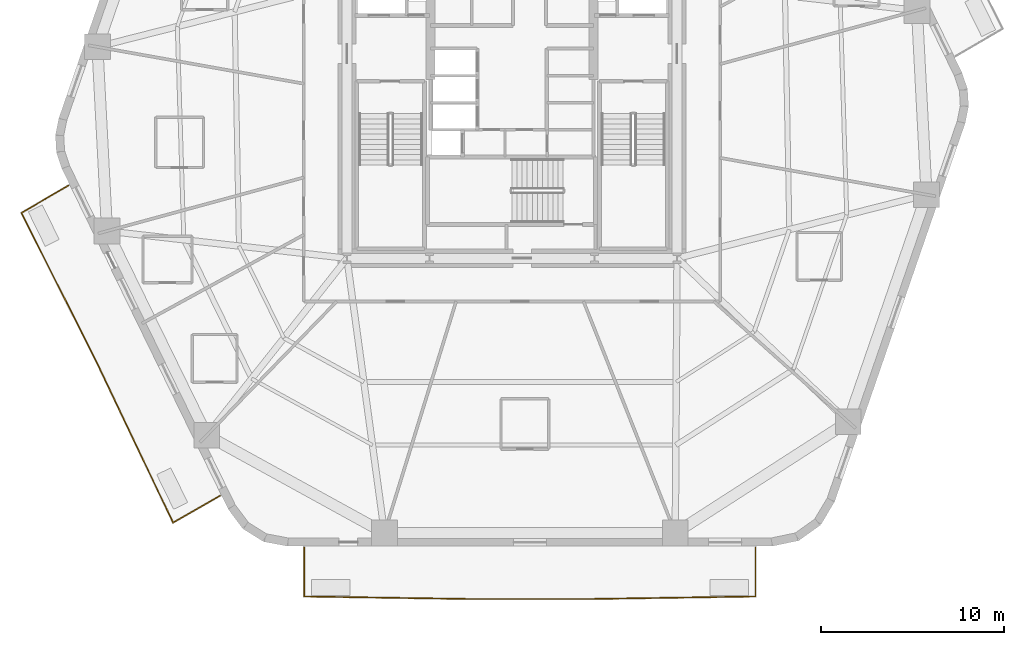
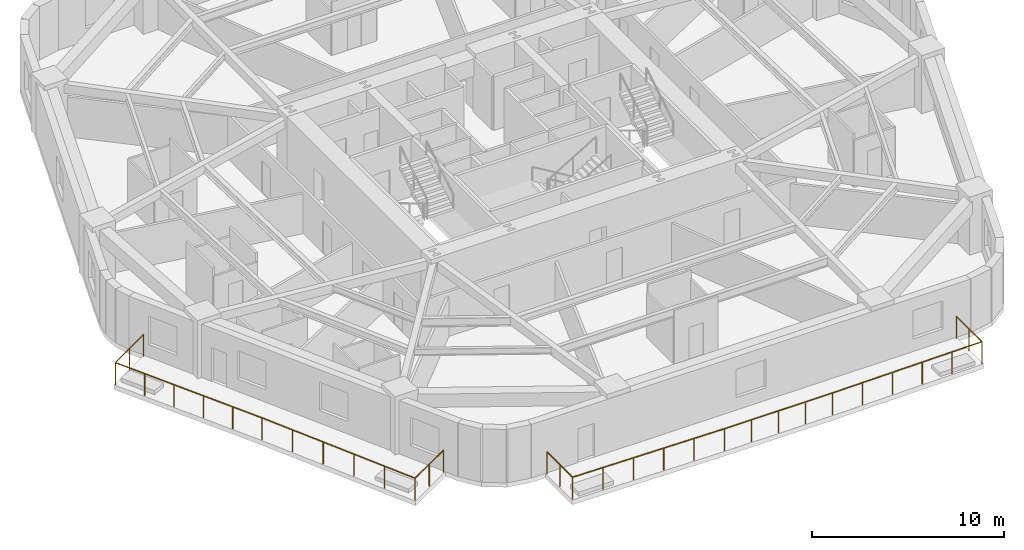
# One storey, part 8 of 10: 2 railings.
"""IFC4 building model written with IfcOpenShell, lengths in metres."""

from ifc_helpers import new_model, si_unit, direction, frame, origin, origin_2d, place, context, subcontext, project, spatial, rectangle, extrude, material, layer, layer_set, type_object, element, save


model = new_model("IFC4")

# Units and contexts
model_context = context("Model", 3, precision=1e-05, world=origin(), true_north=direction((0.0, 1.0)))
body_context = subcontext(model_context, "Body", "Model", "MODEL_VIEW")
ifc_project = project(units=[si_unit("LENGTHUNIT", "METRE"), si_unit("AREAUNIT", "SQUARE_METRE"), si_unit("VOLUMEUNIT", "CUBIC_METRE"), si_unit("PLANEANGLEUNIT", "RADIAN"), si_unit("MASSUNIT", "GRAM", prefix="KILO")], contexts=[model_context])

# Site, building, storey
site_placement = place(None, origin())
site = spatial("IfcSite", under=ifc_project, at=site_placement, CompositionType="ELEMENT")
building_placement = place(site_placement, origin())
building = spatial("IfcBuilding", under=site, at=building_placement, Name="Kilnhurst Terrace Hotel", CompositionType="ELEMENT")
storey_placement = place(building_placement, frame((0.0, 0.0, 63.800048828125)))
storey = spatial("IfcBuildingStorey", under=building, at=storey_placement, Name="L14", CompositionType="ELEMENT", Elevation=63.800048828125)

# Railings
ifc_material = material(Name="Laminated SentryGlas and Stainless Steel AISI 316L Balustrade", Category="steel")
ifc_layer = layer(ifc_material, 0.070068359375, Name="Laminated SentryGlas and Stainless Steel AISI 316L Balustrade")
ifc_layer_set = layer_set([ifc_layer], Name="Laminated SentryGlas and Stainless Steel AISI 316L Balustrade")
railing_type = type_object("IfcRailingType", Name="RLG-BAL-1420", PredefinedType="BALUSTRADE", material=ifc_layer_set)
railing_1_placement = place(storey_placement, frame((-15.923095703125, -20.44873046875, 0.0)))
element("IfcRailing", 1, at=railing_1_placement, inside=storey, type_object=railing_type, Name="L14 Exterior Terrace Guardrail BAL-L2A.1", PredefinedType="BALUSTRADE", context=body_context, shape_type="SweptSolid", body=[
    extrude(rectangle(XDim=0.048095703125, YDim=0.048095703125, at=origin_2d()), frame((0.0, 0.0, 1.39599609375), z_axis=(-0.86763656582, -0.497198943736, 0.0), x_axis=(0.497198943736, -0.86763656582, 0.0)), (0.0, 0.0, 1.0), 2.95068359375),
    extrude(rectangle(XDim=0.048095703125, YDim=0.048095703125, at=origin_2d()), frame((-2.56005859375, -1.467041015625, 1.39599609375), z_axis=(-0.430147205624, 0.902758761516, 0.0), x_axis=(-0.902758761516, -0.430147205624, 0.0)), (0.0, 0.0, 1.0), 9.67041015625),
    extrude(rectangle(XDim=0.048095703125, YDim=0.048095703125, at=origin_2d()), frame((-6.7197265625, 7.262939453125, 1.39599609375), z_axis=(-0.514495755428, 0.857492925713, 0.0), x_axis=(-0.857492925713, -0.514495755428, 0.0)), (0.0, 0.0, 1.0), 0.00146484375),
    extrude(rectangle(XDim=0.048095703125, YDim=0.048095703125, at=origin_2d()), frame((-6.720458984375, 7.26416015625, 1.39599609375), z_axis=(-0.449648824937, 0.89320542667, 0.0), x_axis=(-0.89320542667, -0.449648824937, 0.0)), (0.0, 0.0, 1.0), 9.136962890625),
    extrude(rectangle(XDim=0.048095703125, YDim=0.048095703125, at=origin_2d()), frame((-10.828857421875, 15.42529296875, 1.39599609375), z_axis=(0.863737120301, 0.503942642584, 0.0), x_axis=(-0.503942642584, 0.863737120301, 0.0)), (0.0, 0.0, 1.0), 2.96728515625),
    extrude(rectangle(XDim=0.0419921875, YDim=0.0419921875, at=origin_2d()), origin(), (0.0, 0.0, 1.0), 1.371826171875),
    extrude(rectangle(XDim=0.0419921875, YDim=0.0419921875, at=origin_2d()), frame((-1.280029296875, -0.7333984375, 0.0)), (0.0, 0.0, 1.0), 1.371826171875),
    extrude(rectangle(XDim=0.0419921875, YDim=0.0419921875, at=origin_2d()), frame((-2.56005859375, -1.467041015625, 0.0)), (0.0, 0.0, 1.0), 1.371826171875),
    extrude(rectangle(XDim=0.0419921875, YDim=0.0419921875, at=origin_2d()), frame((-3.39208984375, 0.279052734375, 0.0)), (0.0, 0.0, 1.0), 1.371826171875),
    extrude(rectangle(XDim=0.0419921875, YDim=0.0419921875, at=origin_2d()), frame((-4.223876953125, 2.02490234375, 0.0)), (0.0, 0.0, 1.0), 1.371826171875),
    extrude(rectangle(XDim=0.0419921875, YDim=0.0419921875, at=origin_2d()), frame((-5.055908203125, 3.77099609375, 0.0)), (0.0, 0.0, 1.0), 1.371826171875),
    extrude(rectangle(XDim=0.0419921875, YDim=0.0419921875, at=origin_2d()), frame((-5.8876953125, 5.516845703125, 0.0)), (0.0, 0.0, 1.0), 1.371826171875),
    extrude(rectangle(XDim=0.0419921875, YDim=0.0419921875, at=origin_2d()), frame((-6.7197265625, 7.262939453125, 0.0)), (0.0, 0.0, 1.0), 1.371826171875),
    extrude(rectangle(XDim=0.0419921875, YDim=0.0419921875, at=origin_2d()), frame((-6.720458984375, 7.26416015625, 0.0)), (0.0, 0.0, 1.0), 1.371826171875),
    extrude(rectangle(XDim=0.0419921875, YDim=0.0419921875, at=origin_2d()), frame((-7.542236328125, 8.896484375, 0.0)), (0.0, 0.0, 1.0), 1.371826171875),
    extrude(rectangle(XDim=0.0419921875, YDim=0.0419921875, at=origin_2d()), frame((-8.36376953125, 10.528564453125, 0.0)), (0.0, 0.0, 1.0), 1.371826171875),
    extrude(rectangle(XDim=0.0419921875, YDim=0.0419921875, at=origin_2d()), frame((-9.185546875, 12.160888671875, 0.0)), (0.0, 0.0, 1.0), 1.371826171875),
    extrude(rectangle(XDim=0.0419921875, YDim=0.0419921875, at=origin_2d()), frame((-10.007080078125, 13.79296875, 0.0)), (0.0, 0.0, 1.0), 1.371826171875),
    extrude(rectangle(XDim=0.0419921875, YDim=0.0419921875, at=origin_2d()), frame((-10.828857421875, 15.42529296875, 0.0)), (0.0, 0.0, 1.0), 1.371826171875),
    extrude(rectangle(XDim=0.0419921875, YDim=0.0419921875, at=origin_2d()), frame((-9.54736328125, 16.1728515625, 0.0)), (0.0, 0.0, 1.0), 1.371826171875),
    extrude(rectangle(XDim=0.0419921875, YDim=0.0419921875, at=origin_2d()), frame((-8.265869140625, 16.920654296875, 0.0)), (0.0, 0.0, 1.0), 1.371826171875),
])
railing_2_placement = place(storey_placement, frame((13.281494140625, -23.280029296875, 0.0)))
element("IfcRailing", 2, at=railing_2_placement, inside=storey, type_object=railing_type, Name="L14 Exterior Terrace Guardrail BAL-L2B.1", PredefinedType="BALUSTRADE", context=body_context, shape_type="SweptSolid", body=[
    extrude(rectangle(XDim=0.048095703125, YDim=0.048095703125, at=origin_2d()), frame((0.0, 0.0, 1.39599609375), z_axis=(0.0, -1.0, 0.0), x_axis=(1.0, 0.0, 0.0)), (0.0, 0.0, 1.0), 2.660888671875),
    extrude(rectangle(XDim=0.048095703125, YDim=0.048095703125, at=origin_2d()), frame((0.0, -2.660888671875, 1.39599609375), z_axis=(-0.999881869157, -0.015370352358, 0.0), x_axis=(0.015370352358, -0.999881869157, 0.0)), (0.0, 0.0, 1.0), 9.0537109375),
    extrude(rectangle(XDim=0.048095703125, YDim=0.048095703125, at=origin_2d()), frame((-9.052734375, -2.800048828125, 1.39599609375), z_axis=(-1.0, 0.0, 0.0), x_axis=(0.0, -1.0, 0.0)), (0.0, 0.0, 1.0), 6.508056640625),
    extrude(rectangle(XDim=0.048095703125, YDim=0.048095703125, at=origin_2d()), frame((-15.560791015625, -2.800048828125, 1.39599609375), z_axis=(-0.999881869157, 0.015370352358, 0.0), x_axis=(-0.015370352358, -0.999881869157, 0.0)), (0.0, 0.0, 1.0), 9.0537109375),
    extrude(rectangle(XDim=0.048095703125, YDim=0.048095703125, at=origin_2d()), frame((-24.613525390625, -2.660888671875, 1.39599609375), z_axis=(0.0, 1.0, 0.0), x_axis=(-1.0, 0.0, 0.0)), (0.0, 0.0, 1.0), 2.660888671875),
    extrude(rectangle(XDim=0.0419921875, YDim=0.0419921875, at=origin_2d()), origin(), (0.0, 0.0, 1.0), 1.371826171875),
    extrude(rectangle(XDim=0.0419921875, YDim=0.0419921875, at=origin_2d()), frame((0.0, -1.33056640625, 0.0)), (0.0, 0.0, 1.0), 1.371826171875),
    extrude(rectangle(XDim=0.0419921875, YDim=0.0419921875, at=origin_2d()), frame((0.0, -2.660888671875, 0.0)), (0.0, 0.0, 1.0), 1.371826171875),
    extrude(rectangle(XDim=0.0419921875, YDim=0.0419921875, at=origin_2d()), frame((-1.810546875, -2.688720703125, 0.0)), (0.0, 0.0, 1.0), 1.371826171875),
    extrude(rectangle(XDim=0.0419921875, YDim=0.0419921875, at=origin_2d()), frame((-3.62109375, -2.716552734375, 0.0)), (0.0, 0.0, 1.0), 1.371826171875),
    extrude(rectangle(XDim=0.0419921875, YDim=0.0419921875, at=origin_2d()), frame((-5.431640625, -2.744384765625, 0.0)), (0.0, 0.0, 1.0), 1.371826171875),
    extrude(rectangle(XDim=0.0419921875, YDim=0.0419921875, at=origin_2d()), frame((-7.2421875, -2.772216796875, 0.0)), (0.0, 0.0, 1.0), 1.371826171875),
    extrude(rectangle(XDim=0.0419921875, YDim=0.0419921875, at=origin_2d()), frame((-9.052734375, -2.800048828125, 0.0)), (0.0, 0.0, 1.0), 1.371826171875),
    extrude(rectangle(XDim=0.0419921875, YDim=0.0419921875, at=origin_2d()), frame((-10.6796875, -2.800048828125, 0.0)), (0.0, 0.0, 1.0), 1.371826171875),
    extrude(rectangle(XDim=0.0419921875, YDim=0.0419921875, at=origin_2d()), frame((-12.306640625, -2.800048828125, 0.0)), (0.0, 0.0, 1.0), 1.371826171875),
    extrude(rectangle(XDim=0.0419921875, YDim=0.0419921875, at=origin_2d()), frame((-13.933837890625, -2.800048828125, 0.0)), (0.0, 0.0, 1.0), 1.371826171875),
    extrude(rectangle(XDim=0.0419921875, YDim=0.0419921875, at=origin_2d()), frame((-15.560791015625, -2.800048828125, 0.0)), (0.0, 0.0, 1.0), 1.371826171875),
    extrude(rectangle(XDim=0.0419921875, YDim=0.0419921875, at=origin_2d()), frame((-17.371337890625, -2.772216796875, 0.0)), (0.0, 0.0, 1.0), 1.371826171875),
    extrude(rectangle(XDim=0.0419921875, YDim=0.0419921875, at=origin_2d()), frame((-19.181884765625, -2.744384765625, 0.0)), (0.0, 0.0, 1.0), 1.371826171875),
    extrude(rectangle(XDim=0.0419921875, YDim=0.0419921875, at=origin_2d()), frame((-20.992431640625, -2.716552734375, 0.0)), (0.0, 0.0, 1.0), 1.371826171875),
    extrude(rectangle(XDim=0.0419921875, YDim=0.0419921875, at=origin_2d()), frame((-22.802978515625, -2.688720703125, 0.0)), (0.0, 0.0, 1.0), 1.371826171875),
    extrude(rectangle(XDim=0.0419921875, YDim=0.0419921875, at=origin_2d()), frame((-24.613525390625, -2.660888671875, 0.0)), (0.0, 0.0, 1.0), 1.371826171875),
    extrude(rectangle(XDim=0.0419921875, YDim=0.0419921875, at=origin_2d()), frame((-24.613525390625, -1.33056640625, 0.0)), (0.0, 0.0, 1.0), 1.371826171875),
    extrude(rectangle(XDim=0.0419921875, YDim=0.0419921875, at=origin_2d()), frame((-24.613525390625, 0.0, 0.0)), (0.0, 0.0, 1.0), 1.371826171875),
])

save(model, "model.ifc")
